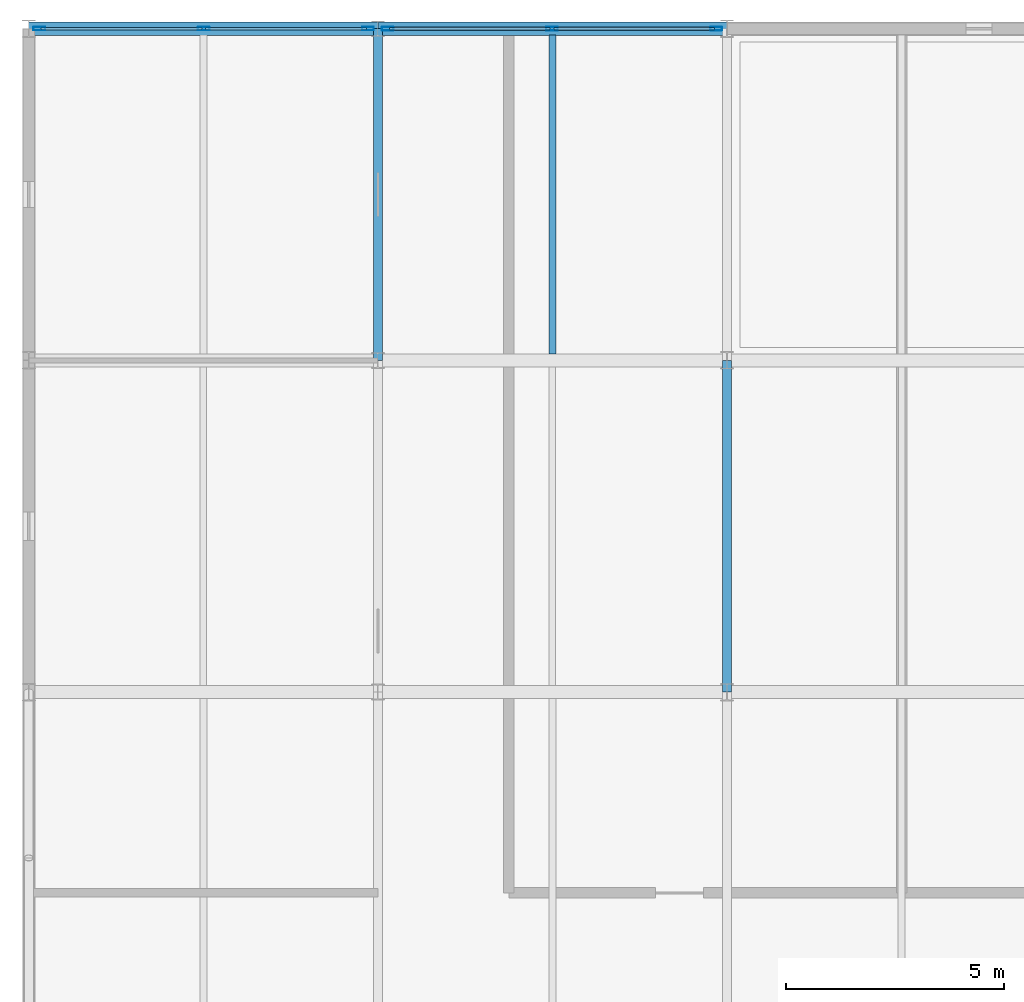
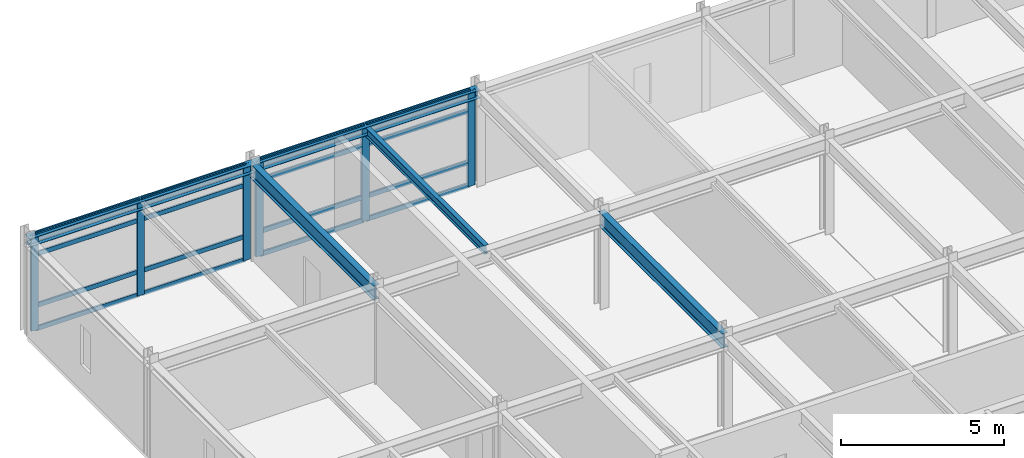
# One storey, part 4 of 9: 22 members, 5 beams, 2 elements without a shape of their own.
"""IFC4 building model written with IfcOpenShell, lengths in metres."""

from ifc_helpers import new_model, si_unit, direction, frame, origin, origin_2d, place, context, subcontext, project, spatial, hollow_rectangle, i_section, extrude, material, layer, layer_set, material_profile, profile_set, type_object, element, aggregate, save


model = new_model("IFC4")

# Units and contexts
model_context = context("Model", 3, precision=1e-05, world=origin(), true_north=direction((0.0, 1.0)))
body_context = subcontext(model_context, "Body", "Model", "MODEL_VIEW")
ifc_project = project(units=[si_unit("LENGTHUNIT", "METRE"), si_unit("AREAUNIT", "SQUARE_METRE"), si_unit("VOLUMEUNIT", "CUBIC_METRE"), si_unit("PLANEANGLEUNIT", "RADIAN"), si_unit("MASSUNIT", "GRAM", prefix="KILO")], contexts=[model_context])

# Site, building, storey
site_placement = place(None, origin())
site = spatial("IfcSite", under=ifc_project, at=site_placement, CompositionType="ELEMENT")
building_placement = place(site_placement, origin())
building = spatial("IfcBuilding", under=site, at=building_placement, Name="Shalkamar Park Central Library", CompositionType="ELEMENT")
storey_placement = place(building_placement, frame((0.0, 0.0, 60.0)))
storey = spatial("IfcBuildingStorey", under=building, at=storey_placement, Name="L15", CompositionType="ELEMENT", Elevation=60.0)

# Beam
ifc_material_1 = material(Name="Steel S355", Category="steel")
ifc_material_profile_1 = material_profile(ifc_material_1, i_section(OverallWidth=0.159912109375, OverallDepth=0.330078125, WebThickness=0.007568359375, FlangeThickness=0.011474609375, FilletRadius=0.01806640625, at=origin_2d()), Name="IPE 330")
ifc_profile_set_1 = profile_set([ifc_material_profile_1], Name="Steel S355")
beam_type_1 = type_object("IfcBeamType", Name="Composite Floor Joist IPE330", PredefinedType="JOIST", material=ifc_profile_set_1)
beam_1_placement = place(storey_placement, frame((177.0, 270.548095703125, 3.4150390625), z_axis=(0.0, 1.0, 0.0), x_axis=(-1.0, 0.0, 0.0)))
element("IfcBeam", 1, at=beam_1_placement, inside=storey, type_object=beam_type_1, Name="Composite Joist 08/E-1 (L15)", PredefinedType="JOIST", context=body_context, shape_type="SweptSolid", body=[
    extrude(i_section(OverallWidth=0.159912109375, OverallDepth=0.330078125, WebThickness=0.007568359375, FlangeThickness=0.011474609375, FilletRadius=0.01806640625, at=origin_2d()), origin(), (0.0, 0.0, 1.0), 7.303955078125),
])

# Curtain wall, members
ifc_material_2 = material(Name="Thermally broken aluminium and triple low-e curtain wall", Category="aluminium")
ifc_layer_1 = layer(ifc_material_2, 0.27001953125)
ifc_layer_set_1 = layer_set([ifc_layer_1], Name="UnitisedCurtainWall_98")
curtain_wall_type_1 = type_object("IfcCurtainWallType", Name="Unitised Curtain Wall 98", PredefinedType="USERDEFINED", material=ifc_layer_set_1)
curtain_wall_1_placement = place(storey_placement, origin())
curtain_wall_1 = element("IfcCurtainWall", 2, at=curtain_wall_1_placement, inside=storey, type_object=curtain_wall_type_1, Name="Unitised Curtain Wall CW-L15-156", ObjectType="UNITISED CURTAIN WALL", PredefinedType="USERDEFINED")
ifc_material_3 = material(Name="Aluminium 6060-T66", Category="aluminium")
ifc_material_profile_2 = material_profile(ifc_material_3, hollow_rectangle(XDim=0.080078125, YDim=0.27001953125, WallThickness=0.0048828125, InnerFilletRadius=0.0048828125, OuterFilletRadius=0.007568359375, at=origin_2d()), Name="ALU 80x270x5")
ifc_profile_set_2 = profile_set([ifc_material_profile_2], Name="Aluminium 6060-T66")
member_type_1 = type_object("IfcMemberType", Name="Curtain Wall Mullion ALU80x270", PredefinedType="MULLION", material=ifc_profile_set_2)
member_1_placement = place(storey_placement, frame((165.243896484375, 278.0, 0.0), z_axis=(0.0, 0.0, 1.0), x_axis=(0.0, 1.0, 0.0)))
member_1 = element("IfcMember", 3, at=member_1_placement, type_object=member_type_1, Name="CW-98 mullion 1", PredefinedType="MULLION", context=body_context, shape_type="SweptSolid", body=[
    extrude(hollow_rectangle(XDim=0.080078125, YDim=0.27001953125, WallThickness=0.0048828125, InnerFilletRadius=0.0048828125, OuterFilletRadius=0.007568359375, at=origin_2d()), origin(), (0.0, 0.0, 1.0), 3.580078125),
])
member_2_placement = place(storey_placement, frame((169.010009765625, 278.0, 0.0), z_axis=(0.0, 0.0, 1.0), x_axis=(0.0, 1.0, 0.0)))
member_2 = element("IfcMember", 4, at=member_2_placement, type_object=member_type_1, Name="CW-98 mullion 2", PredefinedType="MULLION", context=body_context, shape_type="SweptSolid", body=[
    extrude(hollow_rectangle(XDim=0.080078125, YDim=0.27001953125, WallThickness=0.0048828125, InnerFilletRadius=0.0048828125, OuterFilletRadius=0.007568359375, at=origin_2d()), origin(), (0.0, 0.0, 1.0), 3.580078125),
])
member_3_placement = place(storey_placement, frame((172.77587890625, 278.0, 0.0), z_axis=(0.0, 0.0, 1.0), x_axis=(0.0, 1.0, 0.0)))
member_3 = element("IfcMember", 5, at=member_3_placement, type_object=member_type_1, Name="CW-98 mullion 3", PredefinedType="MULLION", context=body_context, shape_type="SweptSolid", body=[
    extrude(hollow_rectangle(XDim=0.080078125, YDim=0.27001953125, WallThickness=0.0048828125, InnerFilletRadius=0.0048828125, OuterFilletRadius=0.007568359375, at=origin_2d()), origin(), (0.0, 0.0, 1.0), 3.580078125),
])

ifc_layer_2 = layer(ifc_material_2, 0.264892578125)
ifc_layer_set_2 = layer_set([ifc_layer_2], Name="UnitisedCurtainWall_99")
curtain_wall_type_2 = type_object("IfcCurtainWallType", Name="Unitised Curtain Wall 99", PredefinedType="USERDEFINED", material=ifc_layer_set_2)
curtain_wall_2_placement = place(storey_placement, origin())
curtain_wall_2 = element("IfcCurtainWall", 6, at=curtain_wall_2_placement, inside=storey, type_object=curtain_wall_type_2, Name="Unitised Curtain Wall CW-L15-157", ObjectType="UNITISED CURTAIN WALL", PredefinedType="USERDEFINED")
ifc_material_profile_3 = material_profile(ifc_material_3, hollow_rectangle(XDim=0.0849609375, YDim=0.264892578125, WallThickness=0.0048828125, InnerFilletRadius=0.0048828125, OuterFilletRadius=0.007568359375, at=origin_2d()), Name="ALU 85x265x5")
ifc_profile_set_3 = profile_set([ifc_material_profile_3], Name="Aluminium 6060-T66")
member_type_2 = type_object("IfcMemberType", Name="Curtain Wall Mullion ALU85x265", PredefinedType="MULLION", material=ifc_profile_set_3)
member_4_placement = place(storey_placement, frame((173.2265625, 278.0, 0.0), z_axis=(0.0, 0.0, 1.0), x_axis=(0.0, 1.0, 0.0)))
member_4 = element("IfcMember", 7, at=member_4_placement, type_object=member_type_2, Name="CW-99 mullion 1", PredefinedType="MULLION", context=body_context, shape_type="SweptSolid", body=[
    extrude(hollow_rectangle(XDim=0.0849609375, YDim=0.264892578125, WallThickness=0.0048828125, InnerFilletRadius=0.0048828125, OuterFilletRadius=0.007568359375, at=origin_2d()), origin(), (0.0, 0.0, 1.0), 3.580078125),
])
member_5_placement = place(storey_placement, frame((176.989990234375, 278.0, 0.0), z_axis=(0.0, 0.0, 1.0), x_axis=(0.0, 1.0, 0.0)))
member_5 = element("IfcMember", 8, at=member_5_placement, type_object=member_type_2, Name="CW-99 mullion 2", PredefinedType="MULLION", context=body_context, shape_type="SweptSolid", body=[
    extrude(hollow_rectangle(XDim=0.0849609375, YDim=0.264892578125, WallThickness=0.0048828125, InnerFilletRadius=0.0048828125, OuterFilletRadius=0.007568359375, at=origin_2d()), origin(), (0.0, 0.0, 1.0), 3.580078125),
])
member_6_placement = place(storey_placement, frame((180.75341796875, 278.0, 0.0), z_axis=(0.0, 0.0, 1.0), x_axis=(0.0, 1.0, 0.0)))
member_6 = element("IfcMember", 9, at=member_6_placement, type_object=member_type_2, Name="CW-99 mullion 3", PredefinedType="MULLION", context=body_context, shape_type="SweptSolid", body=[
    extrude(hollow_rectangle(XDim=0.0849609375, YDim=0.264892578125, WallThickness=0.0048828125, InnerFilletRadius=0.0048828125, OuterFilletRadius=0.007568359375, at=origin_2d()), origin(), (0.0, 0.0, 1.0), 3.580078125),
])

# Member
ifc_material_profile_4 = material_profile(ifc_material_3, hollow_rectangle(XDim=0.06494140625, YDim=0.175048828125, WallThickness=0.00439453125, InnerFilletRadius=0.00439453125, OuterFilletRadius=0.0068359375, at=origin_2d()), Name="ALU 65x175x4.5")
ifc_profile_set_4 = profile_set([ifc_material_profile_4], Name="Aluminium 6060-T66")
member_type_3 = type_object("IfcMemberType", Name="Curtain Wall Transom ALU65x175", PredefinedType="USERDEFINED", material=ifc_profile_set_4)
member_7_placement = place(storey_placement, frame((165.283935546875, 278.0, 0.032470703125), z_axis=(1.0, 0.0, 0.0), x_axis=(0.0, 1.0, 0.0)))
member_7 = element("IfcMember", 10, at=member_7_placement, type_object=member_type_3, Name="CW-98 transom 1.1", ObjectType="TRANSOM", PredefinedType="USERDEFINED", context=body_context, shape_type="SweptSolid", body=[
    extrude(hollow_rectangle(XDim=0.06494140625, YDim=0.175048828125, WallThickness=0.00439453125, InnerFilletRadius=0.00439453125, OuterFilletRadius=0.0068359375, at=origin_2d()), origin(), (0.0, 0.0, 1.0), 3.68603515625),
])

member_8_placement = place(storey_placement, frame((165.283935546875, 278.0, 0.89990234375), z_axis=(1.0, 0.0, 0.0), x_axis=(0.0, 1.0, 0.0)))
member_8 = element("IfcMember", 11, at=member_8_placement, type_object=member_type_3, Name="CW-98 transom 1.2", ObjectType="TRANSOM", PredefinedType="USERDEFINED", context=body_context, shape_type="SweptSolid", body=[
    extrude(hollow_rectangle(XDim=0.06494140625, YDim=0.175048828125, WallThickness=0.00439453125, InnerFilletRadius=0.00439453125, OuterFilletRadius=0.0068359375, at=origin_2d()), origin(), (0.0, 0.0, 1.0), 3.68603515625),
])

member_9_placement = place(storey_placement, frame((165.283935546875, 278.0, 2.830078125), z_axis=(1.0, 0.0, 0.0), x_axis=(0.0, 1.0, 0.0)))
member_9 = element("IfcMember", 12, at=member_9_placement, type_object=member_type_3, Name="CW-98 transom 1.3", ObjectType="TRANSOM", PredefinedType="USERDEFINED", context=body_context, shape_type="SweptSolid", body=[
    extrude(hollow_rectangle(XDim=0.06494140625, YDim=0.175048828125, WallThickness=0.00439453125, InnerFilletRadius=0.00439453125, OuterFilletRadius=0.0068359375, at=origin_2d()), origin(), (0.0, 0.0, 1.0), 3.68603515625),
])

member_10_placement = place(storey_placement, frame((165.283935546875, 278.0, 3.547607421875), z_axis=(1.0, 0.0, 0.0), x_axis=(0.0, 1.0, 0.0)))
member_10 = element("IfcMember", 13, at=member_10_placement, type_object=member_type_3, Name="CW-98 transom 1.4", ObjectType="TRANSOM", PredefinedType="USERDEFINED", context=body_context, shape_type="SweptSolid", body=[
    extrude(hollow_rectangle(XDim=0.06494140625, YDim=0.175048828125, WallThickness=0.00439453125, InnerFilletRadius=0.00439453125, OuterFilletRadius=0.0068359375, at=origin_2d()), origin(), (0.0, 0.0, 1.0), 3.68603515625),
])

member_11_placement = place(storey_placement, frame((169.050048828125, 278.0, 0.032470703125), z_axis=(1.0, 0.0, 0.0), x_axis=(0.0, 1.0, 0.0)))
member_11 = element("IfcMember", 14, at=member_11_placement, type_object=member_type_3, Name="CW-98 transom 2.1", ObjectType="TRANSOM", PredefinedType="USERDEFINED", context=body_context, shape_type="SweptSolid", body=[
    extrude(hollow_rectangle(XDim=0.06494140625, YDim=0.175048828125, WallThickness=0.00439453125, InnerFilletRadius=0.00439453125, OuterFilletRadius=0.0068359375, at=origin_2d()), origin(), (0.0, 0.0, 1.0), 3.68603515625),
])

member_12_placement = place(storey_placement, frame((169.050048828125, 278.0, 0.89990234375), z_axis=(1.0, 0.0, 0.0), x_axis=(0.0, 1.0, 0.0)))
member_12 = element("IfcMember", 15, at=member_12_placement, type_object=member_type_3, Name="CW-98 transom 2.2", ObjectType="TRANSOM", PredefinedType="USERDEFINED", context=body_context, shape_type="SweptSolid", body=[
    extrude(hollow_rectangle(XDim=0.06494140625, YDim=0.175048828125, WallThickness=0.00439453125, InnerFilletRadius=0.00439453125, OuterFilletRadius=0.0068359375, at=origin_2d()), origin(), (0.0, 0.0, 1.0), 3.68603515625),
])

member_13_placement = place(storey_placement, frame((169.050048828125, 278.0, 2.830078125), z_axis=(1.0, 0.0, 0.0), x_axis=(0.0, 1.0, 0.0)))
member_13 = element("IfcMember", 16, at=member_13_placement, type_object=member_type_3, Name="CW-98 transom 2.3", ObjectType="TRANSOM", PredefinedType="USERDEFINED", context=body_context, shape_type="SweptSolid", body=[
    extrude(hollow_rectangle(XDim=0.06494140625, YDim=0.175048828125, WallThickness=0.00439453125, InnerFilletRadius=0.00439453125, OuterFilletRadius=0.0068359375, at=origin_2d()), origin(), (0.0, 0.0, 1.0), 3.68603515625),
])

member_14_placement = place(storey_placement, frame((169.050048828125, 278.0, 3.547607421875), z_axis=(1.0, 0.0, 0.0), x_axis=(0.0, 1.0, 0.0)))
member_14 = element("IfcMember", 17, at=member_14_placement, type_object=member_type_3, Name="CW-98 transom 2.4", ObjectType="TRANSOM", PredefinedType="USERDEFINED", context=body_context, shape_type="SweptSolid", body=[
    extrude(hollow_rectangle(XDim=0.06494140625, YDim=0.175048828125, WallThickness=0.00439453125, InnerFilletRadius=0.00439453125, OuterFilletRadius=0.0068359375, at=origin_2d()), origin(), (0.0, 0.0, 1.0), 3.68603515625),
])

aggregate(curtain_wall_1, [member_1, member_2, member_3, member_7, member_8, member_9, member_10, member_11, member_12, member_13, member_14])

ifc_material_profile_5 = material_profile(ifc_material_3, hollow_rectangle(XDim=0.070068359375, YDim=0.179931640625, WallThickness=0.00439453125, InnerFilletRadius=0.00439453125, OuterFilletRadius=0.0068359375, at=origin_2d()), Name="ALU 70x180x4.5")
ifc_profile_set_5 = profile_set([ifc_material_profile_5], Name="Aluminium 6060-T66")
member_type_4 = type_object("IfcMemberType", Name="Curtain Wall Transom ALU70x180", PredefinedType="USERDEFINED", material=ifc_profile_set_5)
member_15_placement = place(storey_placement, frame((173.26904296875, 278.0, 0.034912109375), z_axis=(1.0, 0.0, 0.0), x_axis=(0.0, 1.0, 0.0)))
member_15 = element("IfcMember", 18, at=member_15_placement, type_object=member_type_4, Name="CW-99 transom 1.1", ObjectType="TRANSOM", PredefinedType="USERDEFINED", context=body_context, shape_type="SweptSolid", body=[
    extrude(hollow_rectangle(XDim=0.070068359375, YDim=0.179931640625, WallThickness=0.00439453125, InnerFilletRadius=0.00439453125, OuterFilletRadius=0.0068359375, at=origin_2d()), origin(), (0.0, 0.0, 1.0), 3.678466796875),
])

member_16_placement = place(storey_placement, frame((173.26904296875, 278.0, 0.89990234375), z_axis=(1.0, 0.0, 0.0), x_axis=(0.0, 1.0, 0.0)))
member_16 = element("IfcMember", 19, at=member_16_placement, type_object=member_type_4, Name="CW-99 transom 1.2", ObjectType="TRANSOM", PredefinedType="USERDEFINED", context=body_context, shape_type="SweptSolid", body=[
    extrude(hollow_rectangle(XDim=0.070068359375, YDim=0.179931640625, WallThickness=0.00439453125, InnerFilletRadius=0.00439453125, OuterFilletRadius=0.0068359375, at=origin_2d()), origin(), (0.0, 0.0, 1.0), 3.678466796875),
])

member_17_placement = place(storey_placement, frame((173.26904296875, 278.0, 2.830078125), z_axis=(1.0, 0.0, 0.0), x_axis=(0.0, 1.0, 0.0)))
member_17 = element("IfcMember", 20, at=member_17_placement, type_object=member_type_4, Name="CW-99 transom 1.3", ObjectType="TRANSOM", PredefinedType="USERDEFINED", context=body_context, shape_type="SweptSolid", body=[
    extrude(hollow_rectangle(XDim=0.070068359375, YDim=0.179931640625, WallThickness=0.00439453125, InnerFilletRadius=0.00439453125, OuterFilletRadius=0.0068359375, at=origin_2d()), origin(), (0.0, 0.0, 1.0), 3.678466796875),
])

member_18_placement = place(storey_placement, frame((173.26904296875, 278.0, 3.544921875), z_axis=(1.0, 0.0, 0.0), x_axis=(0.0, 1.0, 0.0)))
member_18 = element("IfcMember", 21, at=member_18_placement, type_object=member_type_4, Name="CW-99 transom 1.4", ObjectType="TRANSOM", PredefinedType="USERDEFINED", context=body_context, shape_type="SweptSolid", body=[
    extrude(hollow_rectangle(XDim=0.070068359375, YDim=0.179931640625, WallThickness=0.00439453125, InnerFilletRadius=0.00439453125, OuterFilletRadius=0.0068359375, at=origin_2d()), origin(), (0.0, 0.0, 1.0), 3.678466796875),
])

member_19_placement = place(storey_placement, frame((177.032470703125, 278.0, 0.034912109375), z_axis=(1.0, 0.0, 0.0), x_axis=(0.0, 1.0, 0.0)))
member_19 = element("IfcMember", 22, at=member_19_placement, type_object=member_type_4, Name="CW-99 transom 2.1", ObjectType="TRANSOM", PredefinedType="USERDEFINED", context=body_context, shape_type="SweptSolid", body=[
    extrude(hollow_rectangle(XDim=0.070068359375, YDim=0.179931640625, WallThickness=0.00439453125, InnerFilletRadius=0.00439453125, OuterFilletRadius=0.0068359375, at=origin_2d()), origin(), (0.0, 0.0, 1.0), 3.678466796875),
])

member_20_placement = place(storey_placement, frame((177.032470703125, 278.0, 0.89990234375), z_axis=(1.0, 0.0, 0.0), x_axis=(0.0, 1.0, 0.0)))
member_20 = element("IfcMember", 23, at=member_20_placement, type_object=member_type_4, Name="CW-99 transom 2.2", ObjectType="TRANSOM", PredefinedType="USERDEFINED", context=body_context, shape_type="SweptSolid", body=[
    extrude(hollow_rectangle(XDim=0.070068359375, YDim=0.179931640625, WallThickness=0.00439453125, InnerFilletRadius=0.00439453125, OuterFilletRadius=0.0068359375, at=origin_2d()), origin(), (0.0, 0.0, 1.0), 3.678466796875),
])

member_21_placement = place(storey_placement, frame((177.032470703125, 278.0, 2.830078125), z_axis=(1.0, 0.0, 0.0), x_axis=(0.0, 1.0, 0.0)))
member_21 = element("IfcMember", 24, at=member_21_placement, type_object=member_type_4, Name="CW-99 transom 2.3", ObjectType="TRANSOM", PredefinedType="USERDEFINED", context=body_context, shape_type="SweptSolid", body=[
    extrude(hollow_rectangle(XDim=0.070068359375, YDim=0.179931640625, WallThickness=0.00439453125, InnerFilletRadius=0.00439453125, OuterFilletRadius=0.0068359375, at=origin_2d()), origin(), (0.0, 0.0, 1.0), 3.678466796875),
])

member_22_placement = place(storey_placement, frame((177.032470703125, 278.0, 3.544921875), z_axis=(1.0, 0.0, 0.0), x_axis=(0.0, 1.0, 0.0)))
member_22 = element("IfcMember", 25, at=member_22_placement, type_object=member_type_4, Name="CW-99 transom 2.4", ObjectType="TRANSOM", PredefinedType="USERDEFINED", context=body_context, shape_type="SweptSolid", body=[
    extrude(hollow_rectangle(XDim=0.070068359375, YDim=0.179931640625, WallThickness=0.00439453125, InnerFilletRadius=0.00439453125, OuterFilletRadius=0.0068359375, at=origin_2d()), origin(), (0.0, 0.0, 1.0), 3.678466796875),
])

aggregate(curtain_wall_2, [member_4, member_5, member_6, member_15, member_16, member_17, member_18, member_19, member_20, member_21, member_22])

# Beams
ifc_material_profile_6 = material_profile(ifc_material_1, i_section(OverallWidth=0.300048828125, OverallDepth=0.31005859375, WebThickness=0.009033203125, FlangeThickness=0.015380859375, FilletRadius=0.027099609375, at=origin_2d()), Name="HEA 320")
ifc_profile_set_6 = profile_set([ifc_material_profile_6], Name="Steel S355")
beam_type_2 = type_object("IfcBeamType", Name="Perimeter Spandrel Beam HEA320", PredefinedType="SPANDREL", material=ifc_profile_set_6)
for number, where, z_axis, x_axis, name in (
    (26, (165.0, 278.0, 3.425048828125), (1.0, 0.0, 0.0), (0.0, 1.0, 0.0), "Beam F:07-08 (L15)"),
    (27, (173.0, 278.0, 3.425048828125), (1.0, 0.0, 0.0), (0.0, 1.0, 0.0), "Beam F:08-09 (L15)"),
):
    element("IfcBeam", number, at=place(storey_placement, frame(where, z_axis=z_axis, x_axis=x_axis)), inside=storey, type_object=beam_type_2, Name=name, PredefinedType="SPANDREL", context=body_context, shape_type="SweptSolid", body=[
        extrude(i_section(OverallWidth=0.300048828125, OverallDepth=0.31005859375, WebThickness=0.009033203125, FlangeThickness=0.015380859375, FilletRadius=0.027099609375, at=origin_2d()), origin(), (0.0, 0.0, 1.0), 8.0),
    ])
ifc_material_profile_7 = material_profile(ifc_material_1, i_section(OverallWidth=0.2099609375, OverallDepth=0.550048828125, WebThickness=0.010986328125, FlangeThickness=0.01708984375, FilletRadius=0.02392578125, at=origin_2d()), Name="IPE 550")
ifc_profile_set_7 = profile_set([ifc_material_profile_7], Name="Steel S355")
beam_type_3 = type_object("IfcBeamType", Name="Primary Girder IPE550", PredefinedType="BEAM", material=ifc_profile_set_7)
beam_2_placement = place(storey_placement, frame((173.0, 270.39990234375, 3.304931640625), z_axis=(0.0, 1.0, 0.0), x_axis=(-1.0, 0.0, 0.0)))
element("IfcBeam", 28, at=beam_2_placement, inside=storey, type_object=beam_type_3, Name="Beam 08:E-F (L15)", PredefinedType="BEAM", context=body_context, shape_type="SweptSolid", body=[
    extrude(i_section(OverallWidth=0.2099609375, OverallDepth=0.550048828125, WebThickness=0.010986328125, FlangeThickness=0.01708984375, FilletRadius=0.02392578125, at=origin_2d()), origin(), (0.0, 0.0, 1.0), 7.60009765625),
])
beam_3_placement = place(storey_placement, frame((181.0, 262.800048828125, 3.304931640625), z_axis=(0.0, 1.0, 0.0), x_axis=(-1.0, 0.0, 0.0)))
element("IfcBeam", 29, at=beam_3_placement, inside=storey, type_object=beam_type_3, Name="Beam 09:D-E (L15)", PredefinedType="BEAM", context=body_context, shape_type="SweptSolid", body=[
    extrude(i_section(OverallWidth=0.2099609375, OverallDepth=0.550048828125, WebThickness=0.010986328125, FlangeThickness=0.01708984375, FilletRadius=0.02392578125, at=origin_2d()), origin(), (0.0, 0.0, 1.0), 7.599853515625),
])

save(model, "model.ifc")
